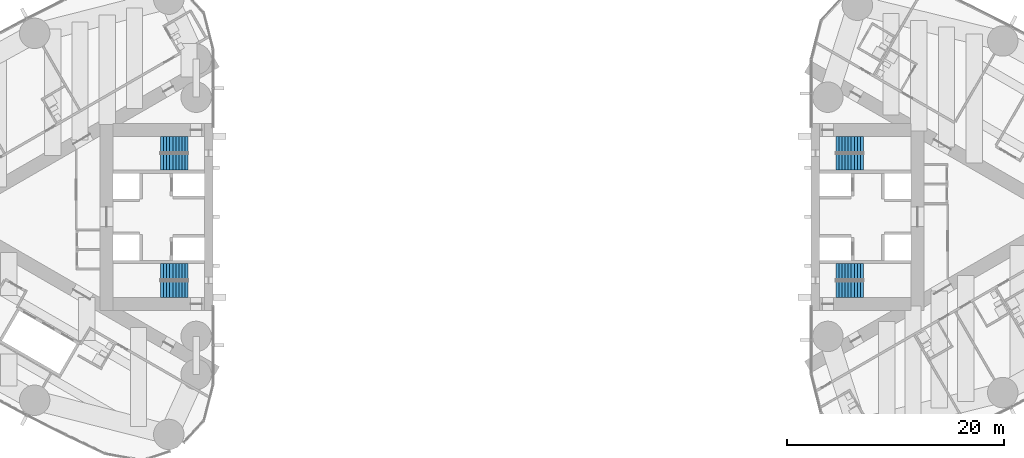
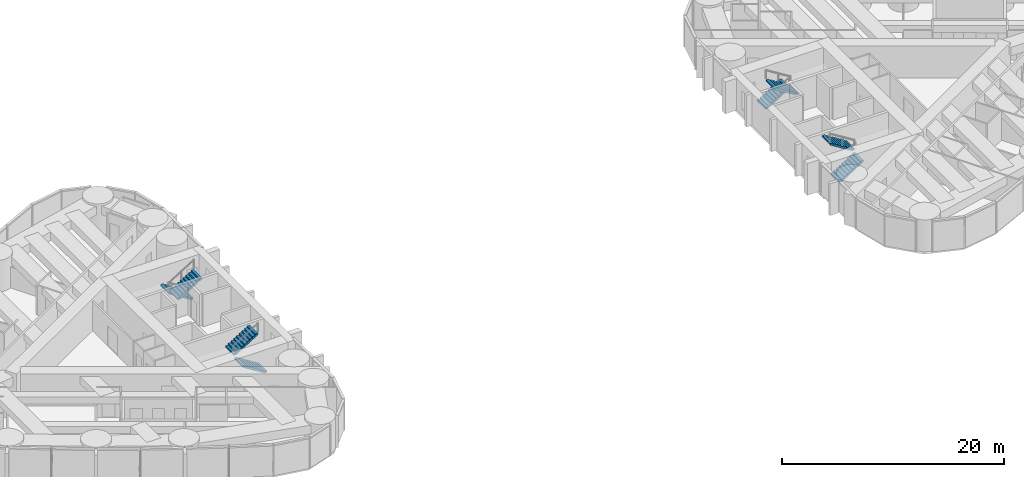
# One storey, part 17 of 19: 8 stair flights, 4 elements without a shape of their own.
"""IFC4 building model written with IfcOpenShell, lengths in metres."""

from ifc_helpers import new_model, si_unit, direction, frame, origin, place, context, subcontext, project, spatial, polyline, outline, extrude, material, type_object, element, aggregate, save


model = new_model("IFC4")

# Units and contexts
model_context = context("Model", 3, precision=1e-05, world=origin(), true_north=direction((0.0, 1.0)))
body_context = subcontext(model_context, "Body", "Model", "MODEL_VIEW")
ifc_project = project(units=[si_unit("LENGTHUNIT", "METRE"), si_unit("AREAUNIT", "SQUARE_METRE"), si_unit("VOLUMEUNIT", "CUBIC_METRE"), si_unit("PLANEANGLEUNIT", "RADIAN"), si_unit("MASSUNIT", "GRAM", prefix="KILO")], contexts=[model_context])

# Site, building, storey
site_placement = place(None, origin())
site = spatial("IfcSite", under=ifc_project, at=site_placement, CompositionType="ELEMENT")
building_placement = place(site_placement, origin())
building = spatial("IfcBuilding", under=site, at=building_placement, Name="Lancet Gate Hotel", CompositionType="ELEMENT")
storey_placement = place(building_placement, frame((0.0, 0.0, 191.300048828125)))
storey = spatial("IfcBuildingStorey", under=building, at=storey_placement, Name="L51", CompositionType="ELEMENT", Elevation=191.300048828125)

# Stair, stair flights
ifc_material_1 = material(Name="Exit stair 20 risers 1500")
stair_type = type_object("IfcStairType", Name="Exit stair 20 risers 1500", PredefinedType="HALF_TURN_STAIR", material=ifc_material_1)
stair_1_placement = place(storey_placement, origin())
stair_1 = element("IfcStair", 1, at=stair_1_placement, inside=storey, type_object=stair_type, Name="T1 stair 1 L51", PredefinedType="HALF_TURN_STAIR")
ifc_material_2 = material(Name="Stair flight 10 risers 175 rise 1500")
stair_flight_type = type_object("IfcStairFlightType", Name="Stair flight 10 risers 175 rise 1500", PredefinedType="STRAIGHT", material=ifc_material_2)
stair_flight_1_placement = place(storey_placement, frame((-29.800048828125, 6.64990234375, 0.0), z_axis=(0.0, 0.0, 1.0), x_axis=(-1.0, 0.0, 0.0)))
stair_flight_1 = element("IfcStairFlight", 2, at=stair_flight_1_placement, type_object=stair_flight_type, Name="ST1 flight 1", NumberOfRisers=10, NumberOfTreads=9, PredefinedType="STRAIGHT", RiserHeight=0.175, TreadLength=0.28, context=body_context, shape_type="SweptSolid", body=[
    extrude(outline(polyline([(0.0, 0.0), (0.0, 0.175048828125), (0.280029296875, 0.175048828125), (0.280029296875, 0.35009765625), (0.56005859375, 0.35009765625), (0.56005859375, 0.52490234375), (0.840087890625, 0.52490234375), (0.840087890625, 0.699951171875), (1.1201171875, 0.699951171875), (1.1201171875, 0.875), (1.39990234375, 0.875), (1.39990234375, 1.050048828125), (1.679931640625, 1.050048828125), (1.679931640625, 1.22509765625), (1.9599609375, 1.22509765625), (1.9599609375, 1.39990234375), (2.239990234375, 1.39990234375), (2.239990234375, 1.574951171875), (2.52001953125, 1.574951171875), (2.52001953125, 1.75), (2.52001953125, 1.398193359375), (0.28271484375, 0.0), (0.0, 0.0)])), frame((0.0, 0.75, 0.0), z_axis=(0.0, -1.0, 0.0), x_axis=(1.0, 0.0, 0.0)), (0.0, 0.0, 1.0), 1.5),
])
stair_flight_2_placement = place(storey_placement, frame((-32.320068359375, 5.050048828125, 1.75), z_axis=(0.0, 0.0, 1.0), x_axis=(1.0, 0.0, 0.0)))
stair_flight_2 = element("IfcStairFlight", 3, at=stair_flight_2_placement, type_object=stair_flight_type, Name="ST1 flight 2", NumberOfRisers=10, NumberOfTreads=9, PredefinedType="STRAIGHT", RiserHeight=0.175, TreadLength=0.28, context=body_context, shape_type="SweptSolid", body=[
    extrude(outline(polyline([(0.0, 0.0), (0.0, 0.175048828125), (0.280029296875, 0.175048828125), (0.280029296875, 0.35009765625), (0.56005859375, 0.35009765625), (0.56005859375, 0.52490234375), (0.840087890625, 0.52490234375), (0.840087890625, 0.699951171875), (1.1201171875, 0.699951171875), (1.1201171875, 0.875), (1.39990234375, 0.875), (1.39990234375, 1.050048828125), (1.679931640625, 1.050048828125), (1.679931640625, 1.22509765625), (1.9599609375, 1.22509765625), (1.9599609375, 1.39990234375), (2.239990234375, 1.39990234375), (2.239990234375, 1.574951171875), (2.52001953125, 1.574951171875), (2.52001953125, 1.75), (2.52001953125, 1.398193359375), (0.28271484375, 0.0), (0.0, 0.0)])), frame((0.0, 0.75, 0.0), z_axis=(0.0, -1.0, 0.0), x_axis=(1.0, 0.0, 0.0)), (0.0, 0.0, 1.0), 1.5),
])
aggregate(stair_1, [stair_flight_1, stair_flight_2])

stair_2_placement = place(storey_placement, origin())
stair_2 = element("IfcStair", 4, at=stair_2_placement, inside=storey, type_object=stair_type, Name="T1 stair 2 L51", PredefinedType="HALF_TURN_STAIR")
stair_flight_3_placement = place(storey_placement, frame((-29.800048828125, -6.64990234375, 0.0), z_axis=(0.0, 0.0, 1.0), x_axis=(-1.0, 0.0, 0.0)))
stair_flight_3 = element("IfcStairFlight", 5, at=stair_flight_3_placement, type_object=stair_flight_type, Name="ST2 flight 1", NumberOfRisers=10, NumberOfTreads=9, PredefinedType="STRAIGHT", RiserHeight=0.175, TreadLength=0.28, context=body_context, shape_type="SweptSolid", body=[
    extrude(outline(polyline([(0.0, 0.0), (0.0, 0.175048828125), (0.280029296875, 0.175048828125), (0.280029296875, 0.35009765625), (0.56005859375, 0.35009765625), (0.56005859375, 0.52490234375), (0.840087890625, 0.52490234375), (0.840087890625, 0.699951171875), (1.1201171875, 0.699951171875), (1.1201171875, 0.875), (1.39990234375, 0.875), (1.39990234375, 1.050048828125), (1.679931640625, 1.050048828125), (1.679931640625, 1.22509765625), (1.9599609375, 1.22509765625), (1.9599609375, 1.39990234375), (2.239990234375, 1.39990234375), (2.239990234375, 1.574951171875), (2.52001953125, 1.574951171875), (2.52001953125, 1.75), (2.52001953125, 1.398193359375), (0.28271484375, 0.0), (0.0, 0.0)])), frame((0.0, 0.75, 0.0), z_axis=(0.0, -1.0, 0.0), x_axis=(1.0, 0.0, 0.0)), (0.0, 0.0, 1.0), 1.5),
])
stair_flight_4_placement = place(storey_placement, frame((-32.320068359375, -5.050048828125, 1.75), z_axis=(0.0, 0.0, 1.0), x_axis=(1.0, 0.0, 0.0)))
stair_flight_4 = element("IfcStairFlight", 6, at=stair_flight_4_placement, type_object=stair_flight_type, Name="ST2 flight 2", NumberOfRisers=10, NumberOfTreads=9, PredefinedType="STRAIGHT", RiserHeight=0.175, TreadLength=0.28, context=body_context, shape_type="SweptSolid", body=[
    extrude(outline(polyline([(0.0, 0.0), (0.0, 0.175048828125), (0.280029296875, 0.175048828125), (0.280029296875, 0.35009765625), (0.56005859375, 0.35009765625), (0.56005859375, 0.52490234375), (0.840087890625, 0.52490234375), (0.840087890625, 0.699951171875), (1.1201171875, 0.699951171875), (1.1201171875, 0.875), (1.39990234375, 0.875), (1.39990234375, 1.050048828125), (1.679931640625, 1.050048828125), (1.679931640625, 1.22509765625), (1.9599609375, 1.22509765625), (1.9599609375, 1.39990234375), (2.239990234375, 1.39990234375), (2.239990234375, 1.574951171875), (2.52001953125, 1.574951171875), (2.52001953125, 1.75), (2.52001953125, 1.398193359375), (0.28271484375, 0.0), (0.0, 0.0)])), frame((0.0, 0.75, 0.0), z_axis=(0.0, -1.0, 0.0), x_axis=(1.0, 0.0, 0.0)), (0.0, 0.0, 1.0), 1.5),
])
aggregate(stair_2, [stair_flight_3, stair_flight_4])

stair_3_placement = place(storey_placement, origin())
stair_3 = element("IfcStair", 7, at=stair_3_placement, inside=storey, type_object=stair_type, Name="T2 stair 1 L51", PredefinedType="HALF_TURN_STAIR")
stair_flight_5_placement = place(storey_placement, frame((29.800048828125, -6.64990234375, 0.0), z_axis=(0.0, 0.0, 1.0), x_axis=(1.0, 0.0, 0.0)))
stair_flight_5 = element("IfcStairFlight", 8, at=stair_flight_5_placement, type_object=stair_flight_type, Name="ST3 flight 1", NumberOfRisers=10, NumberOfTreads=9, PredefinedType="STRAIGHT", RiserHeight=0.175, TreadLength=0.28, context=body_context, shape_type="SweptSolid", body=[
    extrude(outline(polyline([(0.0, 0.0), (0.0, 0.175048828125), (0.280029296875, 0.175048828125), (0.280029296875, 0.35009765625), (0.56005859375, 0.35009765625), (0.56005859375, 0.52490234375), (0.840087890625, 0.52490234375), (0.840087890625, 0.699951171875), (1.1201171875, 0.699951171875), (1.1201171875, 0.875), (1.39990234375, 0.875), (1.39990234375, 1.050048828125), (1.679931640625, 1.050048828125), (1.679931640625, 1.22509765625), (1.9599609375, 1.22509765625), (1.9599609375, 1.39990234375), (2.239990234375, 1.39990234375), (2.239990234375, 1.574951171875), (2.52001953125, 1.574951171875), (2.52001953125, 1.75), (2.52001953125, 1.398193359375), (0.28271484375, 0.0), (0.0, 0.0)])), frame((0.0, 0.75, 0.0), z_axis=(0.0, -1.0, 0.0), x_axis=(1.0, 0.0, 0.0)), (0.0, 0.0, 1.0), 1.5),
])
stair_flight_6_placement = place(storey_placement, frame((32.320068359375, -5.050048828125, 1.75), z_axis=(0.0, 0.0, 1.0), x_axis=(-1.0, 0.0, 0.0)))
stair_flight_6 = element("IfcStairFlight", 9, at=stair_flight_6_placement, type_object=stair_flight_type, Name="ST3 flight 2", NumberOfRisers=10, NumberOfTreads=9, PredefinedType="STRAIGHT", RiserHeight=0.175, TreadLength=0.28, context=body_context, shape_type="SweptSolid", body=[
    extrude(outline(polyline([(0.0, 0.0), (0.0, 0.175048828125), (0.280029296875, 0.175048828125), (0.280029296875, 0.35009765625), (0.56005859375, 0.35009765625), (0.56005859375, 0.52490234375), (0.840087890625, 0.52490234375), (0.840087890625, 0.699951171875), (1.1201171875, 0.699951171875), (1.1201171875, 0.875), (1.39990234375, 0.875), (1.39990234375, 1.050048828125), (1.679931640625, 1.050048828125), (1.679931640625, 1.22509765625), (1.9599609375, 1.22509765625), (1.9599609375, 1.39990234375), (2.239990234375, 1.39990234375), (2.239990234375, 1.574951171875), (2.52001953125, 1.574951171875), (2.52001953125, 1.75), (2.52001953125, 1.398193359375), (0.28271484375, 0.0), (0.0, 0.0)])), frame((0.0, 0.75, 0.0), z_axis=(0.0, -1.0, 0.0), x_axis=(1.0, 0.0, 0.0)), (0.0, 0.0, 1.0), 1.5),
])
aggregate(stair_3, [stair_flight_5, stair_flight_6])

stair_4_placement = place(storey_placement, origin())
stair_4 = element("IfcStair", 10, at=stair_4_placement, inside=storey, type_object=stair_type, Name="T2 stair 2 L51", PredefinedType="HALF_TURN_STAIR")
stair_flight_7_placement = place(storey_placement, frame((29.800048828125, 6.64990234375, 0.0), z_axis=(0.0, 0.0, 1.0), x_axis=(1.0, 0.0, 0.0)))
stair_flight_7 = element("IfcStairFlight", 11, at=stair_flight_7_placement, type_object=stair_flight_type, Name="ST4 flight 1", NumberOfRisers=10, NumberOfTreads=9, PredefinedType="STRAIGHT", RiserHeight=0.175, TreadLength=0.28, context=body_context, shape_type="SweptSolid", body=[
    extrude(outline(polyline([(0.0, 0.0), (0.0, 0.175048828125), (0.280029296875, 0.175048828125), (0.280029296875, 0.35009765625), (0.56005859375, 0.35009765625), (0.56005859375, 0.52490234375), (0.840087890625, 0.52490234375), (0.840087890625, 0.699951171875), (1.1201171875, 0.699951171875), (1.1201171875, 0.875), (1.39990234375, 0.875), (1.39990234375, 1.050048828125), (1.679931640625, 1.050048828125), (1.679931640625, 1.22509765625), (1.9599609375, 1.22509765625), (1.9599609375, 1.39990234375), (2.239990234375, 1.39990234375), (2.239990234375, 1.574951171875), (2.52001953125, 1.574951171875), (2.52001953125, 1.75), (2.52001953125, 1.398193359375), (0.28271484375, 0.0), (0.0, 0.0)])), frame((0.0, 0.75, 0.0), z_axis=(0.0, -1.0, 0.0), x_axis=(1.0, 0.0, 0.0)), (0.0, 0.0, 1.0), 1.5),
])
stair_flight_8_placement = place(storey_placement, frame((32.320068359375, 5.050048828125, 1.75), z_axis=(0.0, 0.0, 1.0), x_axis=(-1.0, 0.0, 0.0)))
stair_flight_8 = element("IfcStairFlight", 12, at=stair_flight_8_placement, type_object=stair_flight_type, Name="ST4 flight 2", NumberOfRisers=10, NumberOfTreads=9, PredefinedType="STRAIGHT", RiserHeight=0.175, TreadLength=0.28, context=body_context, shape_type="SweptSolid", body=[
    extrude(outline(polyline([(0.0, 0.0), (0.0, 0.175048828125), (0.280029296875, 0.175048828125), (0.280029296875, 0.35009765625), (0.56005859375, 0.35009765625), (0.56005859375, 0.52490234375), (0.840087890625, 0.52490234375), (0.840087890625, 0.699951171875), (1.1201171875, 0.699951171875), (1.1201171875, 0.875), (1.39990234375, 0.875), (1.39990234375, 1.050048828125), (1.679931640625, 1.050048828125), (1.679931640625, 1.22509765625), (1.9599609375, 1.22509765625), (1.9599609375, 1.39990234375), (2.239990234375, 1.39990234375), (2.239990234375, 1.574951171875), (2.52001953125, 1.574951171875), (2.52001953125, 1.75), (2.52001953125, 1.398193359375), (0.28271484375, 0.0), (0.0, 0.0)])), frame((0.0, 0.75, 0.0), z_axis=(0.0, -1.0, 0.0), x_axis=(1.0, 0.0, 0.0)), (0.0, 0.0, 1.0), 1.5),
])
aggregate(stair_4, [stair_flight_7, stair_flight_8])

save(model, "model.ifc")
